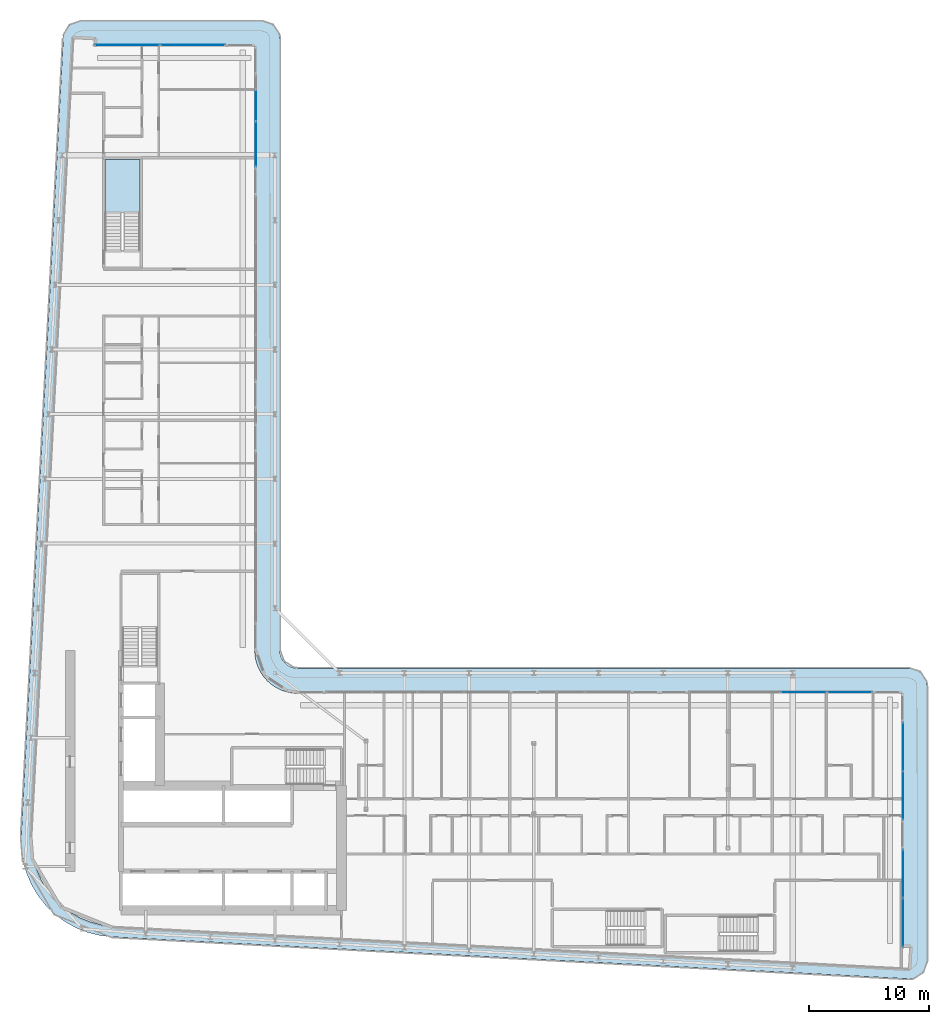
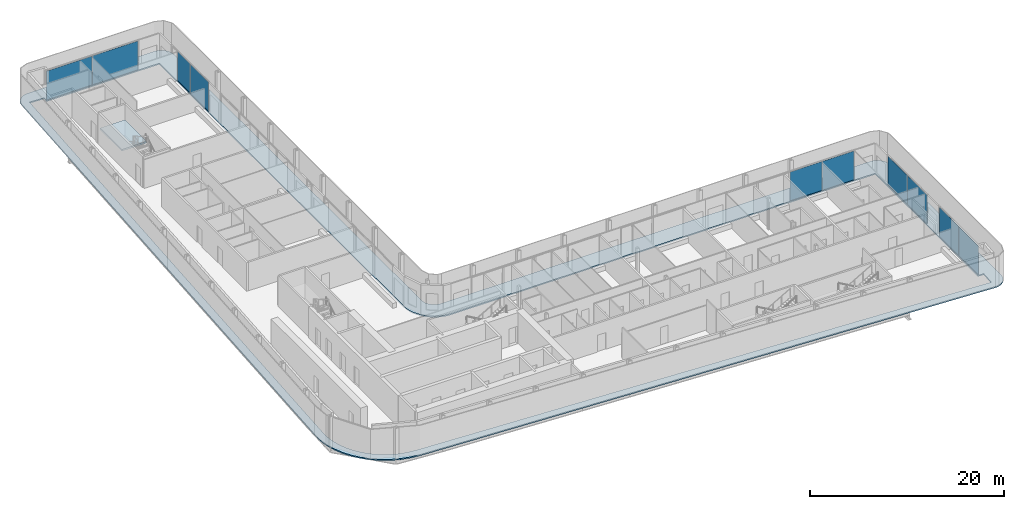
# One storey, part 14 of 30: 10 plates, 2 slabs, 6 elements without a shape of their own.
"""IFC4 building model written with IfcOpenShell, lengths in metres."""

from ifc_helpers import new_model, si_unit, direction, frame, origin, origin_2d, place, context, subcontext, project, spatial, polyline, rectangle, outline, extrude, material, layer, layer_set, type_object, element, aggregate, save


model = new_model("IFC4")

# Units and contexts
model_context = context("Model", 3, precision=1e-05, world=origin(), true_north=direction((0.0, 1.0)))
body_context = subcontext(model_context, "Body", "Model", "MODEL_VIEW")
ifc_project = project(units=[si_unit("LENGTHUNIT", "METRE"), si_unit("AREAUNIT", "SQUARE_METRE"), si_unit("VOLUMEUNIT", "CUBIC_METRE"), si_unit("PLANEANGLEUNIT", "RADIAN"), si_unit("MASSUNIT", "GRAM", prefix="KILO")], contexts=[model_context])

# Site, building, storey
site_placement = place(None, origin())
site = spatial("IfcSite", under=ifc_project, at=site_placement, CompositionType="ELEMENT")
building_placement = place(site_placement, origin())
building = spatial("IfcBuilding", under=site, at=building_placement, Name="Kheshtan School and Residences Tower", CompositionType="ELEMENT")
storey_placement = place(building_placement, frame((0.0, 0.0, 195.5)))
storey = spatial("IfcBuildingStorey", under=building, at=storey_placement, Name="L46", CompositionType="ELEMENT", Elevation=195.5)

# Curtain wall, plates
ifc_material_1 = material(Name="Clear low-e glass in thermally broken aluminium frame", Category="aluminium")
ifc_layer_1 = layer(ifc_material_1, 0.199951171875)
ifc_layer_set_1 = layer_set([ifc_layer_1], Name="Curtain wall CW-L")
curtain_wall_type = type_object("IfcCurtainWallType", Name="Curtain wall CW-L", PredefinedType="NOTDEFINED", material=ifc_layer_set_1)
curtain_wall_1_placement = place(storey_placement, origin())
curtain_wall_1 = element("IfcCurtainWall", 1, at=curtain_wall_1_placement, inside=storey, type_object=curtain_wall_type, Name="Curtain wall CWL7", PredefinedType="NOTDEFINED")
ifc_layer_2 = layer(ifc_material_1, 0.031982421875)
ifc_layer_set_2 = layer_set([ifc_layer_2], Name="CW-L glass panel")
plate_type = type_object("IfcPlateType", Name="CW-L glass panel", PredefinedType="CURTAIN_PANEL", material=ifc_layer_set_2)
plate_1_placement = place(storey_placement, frame((35.259033203125, 98.0, 0.0), z_axis=(0.0, 0.0, 1.0), x_axis=(1.0, 0.0, 0.0)))
plate_1 = element("IfcPlate", 2, at=plate_1_placement, type_object=plate_type, Name="CWL7 panel 1.1", PredefinedType="CURTAIN_PANEL", context=body_context, shape_type="SweptSolid", body=[
    extrude(rectangle(XDim=5.4140625, YDim=0.031982421875, at=origin_2d()), origin(), (0.0, 0.0, 1.0), 3.6298828125),
])
plate_2_placement = place(storey_placement, frame((40.73291015625, 98.0, 0.0), z_axis=(0.0, 0.0, 1.0), x_axis=(1.0, 0.0, 0.0)))
plate_2 = element("IfcPlate", 3, at=plate_2_placement, type_object=plate_type, Name="CWL7 panel 2.1", PredefinedType="CURTAIN_PANEL", context=body_context, shape_type="SweptSolid", body=[
    extrude(rectangle(XDim=5.4140625, YDim=0.031982421875, at=origin_2d()), origin(), (0.0, 0.0, 1.0), 3.6298828125),
])
aggregate(curtain_wall_1, [plate_1, plate_2])

curtain_wall_2_placement = place(storey_placement, origin())
curtain_wall_2 = element("IfcCurtainWall", 4, at=curtain_wall_2_placement, inside=storey, type_object=curtain_wall_type, Name="Curtain wall CWL8c", PredefinedType="NOTDEFINED")
plate_3_placement = place(storey_placement, frame((46.0, 92.9765625, 0.0), z_axis=(0.0, 0.0, 1.0), x_axis=(0.0, -1.0, 0.0)))
plate_3 = element("IfcPlate", 5, at=plate_3_placement, type_object=plate_type, Name="CWL8c panel 2.1", PredefinedType="CURTAIN_PANEL", context=body_context, shape_type="SweptSolid", body=[
    extrude(rectangle(XDim=2.5869140625, YDim=0.031982421875, at=origin_2d()), origin(), (0.0, 0.0, 1.0), 3.6298828125),
])
plate_4_placement = place(storey_placement, frame((46.0, 89.744384765625, 0.0), z_axis=(0.0, 0.0, 1.0), x_axis=(0.0, -1.0, 0.0)))
plate_4 = element("IfcPlate", 6, at=plate_4_placement, type_object=plate_type, Name="CWL8c panel 3.1", PredefinedType="CURTAIN_PANEL", context=body_context, shape_type="SweptSolid", body=[
    extrude(rectangle(XDim=3.757080078125, YDim=0.031982421875, at=origin_2d()), origin(), (0.0, 0.0, 1.0), 3.6298828125),
])
aggregate(curtain_wall_2, [plate_3, plate_4])

curtain_wall_3_placement = place(storey_placement, origin())
curtain_wall_3 = element("IfcCurtainWall", 7, at=curtain_wall_3_placement, inside=storey, type_object=curtain_wall_type, Name="Curtain wall CWL12j", PredefinedType="NOTDEFINED")
plate_5_placement = place(storey_placement, frame((91.714599609375, 44.0, 0.0), z_axis=(0.0, 0.0, 1.0), x_axis=(1.0, 0.0, 0.0)))
plate_5 = element("IfcPlate", 8, at=plate_5_placement, type_object=plate_type, Name="CWL12j panel 1.1", PredefinedType="CURTAIN_PANEL", context=body_context, shape_type="SweptSolid", body=[
    extrude(rectangle(XDim=3.81689453125, YDim=0.031982421875, at=origin_2d()), origin(), (0.0, 0.0, 1.0), 3.6298828125),
])
plate_6_placement = place(storey_placement, frame((95.5615234375, 44.0, 0.0), z_axis=(0.0, 0.0, 1.0), x_axis=(1.0, 0.0, 0.0)))
plate_6 = element("IfcPlate", 9, at=plate_6_placement, type_object=plate_type, Name="CWL12j panel 2.1", PredefinedType="CURTAIN_PANEL", context=body_context, shape_type="SweptSolid", body=[
    extrude(rectangle(XDim=3.757080078125, YDim=0.031982421875, at=origin_2d()), origin(), (0.0, 0.0, 1.0), 3.6298828125),
])
aggregate(curtain_wall_3, [plate_5, plate_6])

curtain_wall_4_placement = place(storey_placement, origin())
curtain_wall_4 = element("IfcCurtainWall", 10, at=curtain_wall_4_placement, inside=storey, type_object=curtain_wall_type, Name="Curtain wall CWL13b", PredefinedType="NOTDEFINED")
plate_7_placement = place(storey_placement, frame((100.0, 39.436767578125, 0.0), z_axis=(0.0, 0.0, 1.0), x_axis=(0.0, -1.0, 0.0)))
plate_7 = element("IfcPlate", 11, at=plate_7_placement, type_object=plate_type, Name="CWL13b panel 1.1", PredefinedType="CURTAIN_PANEL", context=body_context, shape_type="SweptSolid", body=[
    extrude(rectangle(XDim=4.006591796875, YDim=0.031982421875, at=origin_2d()), origin(), (0.0, 0.0, 1.0), 3.6298828125),
])
plate_8_placement = place(storey_placement, frame((100.0, 35.370361328125, 0.0), z_axis=(0.0, 0.0, 1.0), x_axis=(0.0, -1.0, 0.0)))
plate_8 = element("IfcPlate", 12, at=plate_8_placement, type_object=plate_type, Name="CWL13b panel 2.1", PredefinedType="CURTAIN_PANEL", context=body_context, shape_type="SweptSolid", body=[
    extrude(rectangle(XDim=4.006591796875, YDim=0.031982421875, at=origin_2d()), origin(), (0.0, 0.0, 1.0), 3.6298828125),
])
aggregate(curtain_wall_4, [plate_7, plate_8])

curtain_wall_5_placement = place(storey_placement, origin())
curtain_wall_5 = element("IfcCurtainWall", 13, at=curtain_wall_5_placement, inside=storey, type_object=curtain_wall_type, Name="Curtain wall CWL13b", PredefinedType="NOTDEFINED")
plate_9_placement = place(storey_placement, frame((100.0, 28.84375, 0.0), z_axis=(0.0, 0.0, 1.0), x_axis=(0.0, -1.0, 0.0)))
plate_9 = element("IfcPlate", 14, at=plate_9_placement, type_object=plate_type, Name="CWL13b panel 1.1", PredefinedType="CURTAIN_PANEL", context=body_context, shape_type="SweptSolid", body=[
    extrude(rectangle(XDim=4.006591796875, YDim=0.031982421875, at=origin_2d()), origin(), (0.0, 0.0, 1.0), 3.6298828125),
])
plate_10_placement = place(storey_placement, frame((100.0, 24.77734375, 0.0), z_axis=(0.0, 0.0, 1.0), x_axis=(0.0, -1.0, 0.0)))
plate_10 = element("IfcPlate", 15, at=plate_10_placement, type_object=plate_type, Name="CWL13b panel 2.1", PredefinedType="CURTAIN_PANEL", context=body_context, shape_type="SweptSolid", body=[
    extrude(rectangle(XDim=4.006591796875, YDim=0.031982421875, at=origin_2d()), origin(), (0.0, 0.0, 1.0), 3.6298828125),
])
aggregate(curtain_wall_5, [plate_9, plate_10])

# Slab
ifc_material_2 = material(Name="Concrete C40/50", Category="concrete")
ifc_layer_3 = layer(ifc_material_2, 0.14990234375)
ifc_layer_set_3 = layer_set([ifc_layer_3], Name="Loggia balcony slab 150 Concrete C40/50")
slab_type_1 = type_object("IfcSlabType", Name="Loggia balcony slab 150 Concrete C40/50", PredefinedType="FLOOR", material=ifc_layer_set_3)
slab_1_placement = place(storey_placement, frame((0.0, 0.0, -0.14990234375)))
element("IfcSlab", 16, at=slab_1_placement, inside=storey, type_object=slab_type_1, Name="Loggia balcony slab L46", PredefinedType="FLOOR", context=body_context, shape_type="SweptSolid", body=[
    extrude(outline(polyline([(28.4580078125, 26.222900390625), (28.45703125, 26.222900390625), (28.45703125, 26.22412109375), (28.4560546875, 26.22412109375), (27.81494140625, 27.0390625), (27.281005859375, 27.93798828125), (26.867919921875, 28.89990234375), (26.583984375, 29.89990234375), (26.583984375, 29.906982421875), (26.43408203125, 30.943115234375), (26.419921875, 31.989013671875), (29.925048828125, 98.5791015625), (29.930908203125, 98.626953125), (29.930908203125, 98.6279296875), (29.929931640625, 98.6279296875), (29.929931640625, 98.62890625), (29.928955078125, 98.62890625), (29.928955078125, 98.6298828125), (29.927978515625, 98.6298828125), (29.927978515625, 98.631103515625), (29.927001953125, 98.631103515625), (29.927001953125, 98.632080078125), (29.927001953125, 98.633056640625), (29.945068359375, 98.781005859375), (29.945068359375, 98.783935546875), (29.945068359375, 98.784912109375), (29.946044921875, 98.784912109375), (29.946044921875, 98.785888671875), (29.947021484375, 98.785888671875), (29.947021484375, 98.787109375), (29.947998046875, 98.787109375), (29.948974609375, 98.787109375), (29.948974609375, 98.7880859375), (29.949951171875, 98.7880859375), (29.949951171875, 98.7890625), (29.949951171875, 98.791015625), (30.0029296875, 98.98388671875), (30.083984375, 99.175048828125), (30.18896484375, 99.35302734375), (30.31103515625, 99.507080078125), (30.31201171875, 99.507080078125), (30.31201171875, 99.508056640625), (30.31298828125, 99.508056640625), (30.31298828125, 99.509033203125), (30.31396484375, 99.509033203125), (30.31396484375, 99.510009765625), (30.31494140625, 99.510009765625), (30.31494140625, 99.510986328125), (30.31591796875, 99.510986328125), (30.31591796875, 99.511962890625), (30.31689453125, 99.511962890625), (30.31689453125, 99.512939453125), (30.318115234375, 99.512939453125), (30.320068359375, 99.512939453125), (30.321044921875, 99.512939453125), (30.321044921875, 99.513916015625), (30.468017578125, 99.656982421875), (30.468994140625, 99.656982421875), (30.468994140625, 99.657958984375), (30.469970703125, 99.657958984375), (30.469970703125, 99.658935546875), (30.470947265625, 99.658935546875), (30.470947265625, 99.659912109375), (30.471923828125, 99.659912109375), (30.471923828125, 99.660888671875), (30.472900390625, 99.660888671875), (30.472900390625, 99.662109375), (30.47412109375, 99.662109375), (30.47412109375, 99.6630859375), (30.47509765625, 99.6630859375), (30.47509765625, 99.6640625), (30.635986328125, 99.777099609375), (30.820068359375, 99.873046875), (31.007080078125, 99.943115234375), (31.013916015625, 99.943115234375), (31.217041015625, 99.986083984375), (31.423095703125, 100.0), (46.5, 100.0), (46.696044921875, 99.987060546875), (46.887939453125, 99.948974609375), (46.89501953125, 99.948974609375), (47.073974609375, 99.885986328125), (47.243896484375, 99.801025390625), (47.2451171875, 99.801025390625), (47.2470703125, 99.801025390625), (47.248046875, 99.801025390625), (47.248046875, 99.802001953125), (47.2490234375, 99.802001953125), (47.2490234375, 99.802978515625), (47.25, 99.802978515625), (47.2529296875, 99.802978515625), (47.25390625, 99.802978515625), (47.25390625, 99.802001953125), (47.2548828125, 99.802001953125), (47.2548828125, 99.801025390625), (47.256103515625, 99.801025390625), (47.256103515625, 99.800048828125), (47.257080078125, 99.800048828125), (47.257080078125, 99.799072265625), (47.258056640625, 99.799072265625), (47.258056640625, 99.798095703125), (47.412109375, 99.696044921875), (47.4130859375, 99.696044921875), (47.4130859375, 99.695068359375), (47.4140625, 99.695068359375), (47.4140625, 99.694091796875), (47.4140625, 99.68994140625), (47.4140625, 99.68896484375), (47.4150390625, 99.68896484375), (47.4150390625, 99.68798828125), (47.416015625, 99.68798828125), (47.416015625, 99.68701171875), (47.4169921875, 99.68701171875), (47.4169921875, 99.68603515625), (47.554931640625, 99.568115234375), (47.554931640625, 99.56689453125), (47.555908203125, 99.56689453125), (47.555908203125, 99.56591796875), (47.556884765625, 99.56591796875), (47.556884765625, 99.56494140625), (47.55810546875, 99.56494140625), (47.55810546875, 99.56396484375), (47.55908203125, 99.56396484375), (47.55908203125, 99.56298828125), (47.56005859375, 99.56298828125), (47.56005859375, 99.56201171875), (47.56103515625, 99.56201171875), (47.56201171875, 99.56103515625), (47.56201171875, 99.56005859375), (47.56298828125, 99.56005859375), (47.56298828125, 99.55908203125), (47.56396484375, 99.55908203125), (47.56396484375, 99.55810546875), (47.56494140625, 99.55810546875), (47.56494140625, 99.556884765625), (47.56591796875, 99.556884765625), (47.56591796875, 99.555908203125), (47.56689453125, 99.555908203125), (47.56689453125, 99.554931640625), (47.568115234375, 99.554931640625), (47.68505859375, 99.41796875), (47.68603515625, 99.41796875), (47.68603515625, 99.4169921875), (47.68701171875, 99.4169921875), (47.68701171875, 99.416015625), (47.68798828125, 99.416015625), (47.68798828125, 99.4150390625), (47.68896484375, 99.4150390625), (47.68896484375, 99.4140625), (47.68994140625, 99.4140625), (47.694091796875, 99.4140625), (47.695068359375, 99.4140625), (47.695068359375, 99.4130859375), (47.696044921875, 99.4130859375), (47.696044921875, 99.412109375), (47.797119140625, 99.259033203125), (47.798095703125, 99.259033203125), (47.798095703125, 99.258056640625), (47.799072265625, 99.258056640625), (47.799072265625, 99.257080078125), (47.800048828125, 99.257080078125), (47.800048828125, 99.256103515625), (47.801025390625, 99.256103515625), (47.801025390625, 99.2548828125), (47.802001953125, 99.2548828125), (47.802001953125, 99.25390625), (47.802978515625, 99.25390625), (47.802978515625, 99.2529296875), (47.802978515625, 99.25), (47.802978515625, 99.2490234375), (47.802001953125, 99.2490234375), (47.802001953125, 99.248046875), (47.801025390625, 99.248046875), (47.801025390625, 99.2470703125), (47.801025390625, 99.243896484375), (47.801025390625, 99.242919921875), (47.885986328125, 99.073974609375), (47.948974609375, 98.89501953125), (47.948974609375, 98.887939453125), (47.987060546875, 98.696044921875), (48.0, 98.5), (48.0, 47.5), (48.012939453125, 47.303955078125), (48.051025390625, 47.113037109375), (48.051025390625, 47.10693359375), (48.051025390625, 47.10595703125), (48.114013671875, 46.926025390625), (48.200927734375, 46.75), (48.31005859375, 46.5869140625), (48.431884765625, 46.444091796875), (48.43310546875, 46.444091796875), (48.43310546875, 46.443115234375), (48.43408203125, 46.443115234375), (48.43408203125, 46.44189453125), (48.43505859375, 46.44189453125), (48.43505859375, 46.44091796875), (48.43603515625, 46.44091796875), (48.43603515625, 46.43994140625), (48.43701171875, 46.43994140625), (48.43701171875, 46.43896484375), (48.43798828125, 46.43896484375), (48.43896484375, 46.43798828125), (48.43896484375, 46.43701171875), (48.43994140625, 46.43701171875), (48.43994140625, 46.43603515625), (48.44091796875, 46.43603515625), (48.44091796875, 46.43505859375), (48.44189453125, 46.43505859375), (48.44189453125, 46.43408203125), (48.443115234375, 46.43408203125), (48.443115234375, 46.43310546875), (48.444091796875, 46.43310546875), (48.444091796875, 46.431884765625), (48.5869140625, 46.31005859375), (48.75, 46.200927734375), (48.926025390625, 46.114013671875), (49.10595703125, 46.051025390625), (49.10693359375, 46.051025390625), (49.113037109375, 46.051025390625), (49.303955078125, 46.012939453125), (49.5, 46.0), (100.5, 46.0), (100.696044921875, 45.987060546875), (100.887939453125, 45.948974609375), (100.89501953125, 45.948974609375), (101.073974609375, 45.885986328125), (101.241943359375, 45.801025390625), (101.242919921875, 45.801025390625), (101.2470703125, 45.801025390625), (101.248046875, 45.801025390625), (101.248046875, 45.802001953125), (101.2490234375, 45.802001953125), (101.2490234375, 45.802978515625), (101.25, 45.802978515625), (101.2529296875, 45.802978515625), (101.25390625, 45.802978515625), (101.25390625, 45.802001953125), (101.2548828125, 45.802001953125), (101.2548828125, 45.801025390625), (101.256103515625, 45.801025390625), (101.256103515625, 45.800048828125), (101.257080078125, 45.800048828125), (101.257080078125, 45.799072265625), (101.258056640625, 45.799072265625), (101.258056640625, 45.798095703125), (101.259033203125, 45.798095703125), (101.259033203125, 45.797119140625), (101.260009765625, 45.797119140625), (101.260009765625, 45.7958984375), (101.412109375, 45.696044921875), (101.4130859375, 45.696044921875), (101.4130859375, 45.695068359375), (101.4140625, 45.695068359375), (101.4140625, 45.694091796875), (101.4140625, 45.68994140625), (101.4140625, 45.68896484375), (101.4150390625, 45.68896484375), (101.4150390625, 45.68798828125), (101.416015625, 45.68798828125), (101.416015625, 45.68701171875), (101.4169921875, 45.68701171875), (101.4169921875, 45.68603515625), (101.41796875, 45.68603515625), (101.41796875, 45.68505859375), (101.4189453125, 45.68505859375), (101.4189453125, 45.68408203125), (101.554931640625, 45.568115234375), (101.554931640625, 45.56689453125), (101.555908203125, 45.56689453125), (101.555908203125, 45.56591796875), (101.556884765625, 45.56591796875), (101.556884765625, 45.56494140625), (101.55810546875, 45.56494140625), (101.55810546875, 45.56396484375), (101.55908203125, 45.56396484375), (101.55908203125, 45.56298828125), (101.56005859375, 45.56298828125), (101.56005859375, 45.56201171875), (101.56103515625, 45.56201171875), (101.56201171875, 45.56103515625), (101.56201171875, 45.56005859375), (101.56298828125, 45.56005859375), (101.56298828125, 45.55908203125), (101.56396484375, 45.55908203125), (101.56396484375, 45.55810546875), (101.56494140625, 45.55810546875), (101.56494140625, 45.556884765625), (101.56591796875, 45.556884765625), (101.56591796875, 45.555908203125), (101.56689453125, 45.555908203125), (101.56689453125, 45.554931640625), (101.568115234375, 45.554931640625), (101.681884765625, 45.4208984375), (101.68310546875, 45.4208984375), (101.68310546875, 45.419921875), (101.68408203125, 45.419921875), (101.68408203125, 45.4189453125), (101.68505859375, 45.4189453125), (101.68505859375, 45.41796875), (101.68603515625, 45.41796875), (101.68603515625, 45.4169921875), (101.68701171875, 45.4169921875), (101.68701171875, 45.416015625), (101.68798828125, 45.416015625), (101.68798828125, 45.4150390625), (101.68896484375, 45.4150390625), (101.68896484375, 45.4140625), (101.68994140625, 45.4140625), (101.694091796875, 45.4140625), (101.695068359375, 45.4140625), (101.695068359375, 45.4130859375), (101.696044921875, 45.4130859375), (101.696044921875, 45.412109375), (101.7939453125, 45.261962890625), (101.794921875, 45.261962890625), (101.794921875, 45.260986328125), (101.7958984375, 45.260986328125), (101.7958984375, 45.260009765625), (101.797119140625, 45.260009765625), (101.797119140625, 45.259033203125), (101.798095703125, 45.259033203125), (101.798095703125, 45.258056640625), (101.799072265625, 45.258056640625), (101.799072265625, 45.257080078125), (101.800048828125, 45.257080078125), (101.800048828125, 45.256103515625), (101.801025390625, 45.256103515625), (101.801025390625, 45.2548828125), (101.802001953125, 45.2548828125), (101.802001953125, 45.25390625), (101.802978515625, 45.25390625), (101.802978515625, 45.2529296875), (101.802978515625, 45.25), (101.802978515625, 45.2490234375), (101.802001953125, 45.2490234375), (101.802001953125, 45.248046875), (101.801025390625, 45.248046875), (101.801025390625, 45.2470703125), (101.801025390625, 45.240966796875), (101.801025390625, 45.239990234375), (101.885986328125, 45.073974609375), (101.948974609375, 44.89501953125), (101.948974609375, 44.887939453125), (101.987060546875, 44.696044921875), (102.0, 44.5), (102.0, 21.5810546875), (101.986083984375, 21.37890625), (101.945068359375, 21.179931640625), (101.945068359375, 21.173095703125), (101.8779296875, 20.989013671875), (101.785888671875, 20.80810546875), (101.6708984375, 20.64306640625), (101.6708984375, 20.64208984375), (101.6708984375, 20.64111328125), (101.6708984375, 20.639892578125), (101.672119140625, 20.639892578125), (101.672119140625, 20.638916015625), (101.672119140625, 20.636962890625), (101.672119140625, 20.635986328125), (101.6708984375, 20.635986328125), (101.6708984375, 20.635009765625), (101.5380859375, 20.491943359375), (101.534912109375, 20.489013671875), (101.533935546875, 20.489013671875), (101.533935546875, 20.488037109375), (101.532958984375, 20.488037109375), (101.531005859375, 20.488037109375), (101.530029296875, 20.488037109375), (101.530029296875, 20.489013671875), (101.529052734375, 20.489013671875), (101.528076171875, 20.489013671875), (101.527099609375, 20.489013671875), (101.3759765625, 20.364013671875), (101.2041015625, 20.256103515625), (101.01904296875, 20.174072265625), (100.8310546875, 20.116943359375), (100.823974609375, 20.116943359375), (100.6240234375, 20.0859375), (100.4208984375, 20.0830078125), (33.989013671875, 23.580078125), (33.94189453125, 23.5859375), (33.94091796875, 23.5859375), (33.93994140625, 23.5859375), (33.93994140625, 23.5849609375), (33.93896484375, 23.5849609375), (33.93896484375, 23.583984375), (33.93798828125, 23.583984375), (33.93798828125, 23.5830078125), (33.93701171875, 23.5830078125), (33.93701171875, 23.58203125), (33.93603515625, 23.58203125), (33.93505859375, 23.58203125), (32.952880859375, 23.697998046875), (32.949951171875, 23.697998046875), (32.948974609375, 23.697998046875), (32.948974609375, 23.698974609375), (32.947998046875, 23.698974609375), (32.947998046875, 23.699951171875), (32.947021484375, 23.699951171875), (32.947021484375, 23.700927734375), (32.947021484375, 23.702880859375), (32.947021484375, 23.7041015625), (32.946044921875, 23.7041015625), (32.946044921875, 23.705078125), (32.945068359375, 23.705078125), (32.944091796875, 23.705078125), (31.93603515625, 23.9609375), (31.928955078125, 23.9609375), (30.964111328125, 24.34912109375), (30.051025390625, 24.860107421875), (29.218994140625, 25.47900390625), (29.218994140625, 25.47998046875), (29.218017578125, 25.47998046875), (29.218017578125, 25.48095703125), (29.217041015625, 25.48095703125), (29.217041015625, 25.48193359375), (29.216064453125, 25.48193359375), (29.216064453125, 25.48291015625), (29.215087890625, 25.48291015625), (29.215087890625, 25.48388671875), (29.214111328125, 25.48388671875), (29.214111328125, 25.485107421875), (29.212890625, 25.485107421875), (29.212890625, 25.486083984375), (29.2119140625, 25.486083984375), (28.466064453125, 26.217041015625), (28.466064453125, 26.218017578125), (28.465087890625, 26.218017578125), (28.462890625, 26.218017578125), (28.4619140625, 26.218017578125), (28.4619140625, 26.218994140625), (28.4609375, 26.218994140625), (28.4609375, 26.219970703125), (28.4599609375, 26.219970703125), (28.4599609375, 26.220947265625), (28.458984375, 26.220947265625), (28.458984375, 26.221923828125), (28.4580078125, 26.221923828125), (28.4580078125, 26.222900390625)]), holes=[polyline([(29.12890625, 26.824951171875), (29.12890625, 26.823974609375), (29.1298828125, 26.823974609375), (29.1298828125, 26.822998046875), (29.131103515625, 26.822998046875), (29.131103515625, 26.822021484375), (29.132080078125, 26.822021484375), (29.132080078125, 26.821044921875), (29.133056640625, 26.821044921875), (29.133056640625, 26.820068359375), (29.134033203125, 26.820068359375), (29.7958984375, 26.173095703125), (29.7958984375, 26.172119140625), (29.797119140625, 26.172119140625), (29.798095703125, 26.172119140625), (29.799072265625, 26.172119140625), (29.799072265625, 26.1708984375), (29.800048828125, 26.1708984375), (29.800048828125, 26.169921875), (29.801025390625, 26.169921875), (29.801025390625, 26.1689453125), (29.802001953125, 26.1689453125), (29.802001953125, 26.16796875), (29.802978515625, 26.16796875), (29.802978515625, 26.1669921875), (29.803955078125, 26.1669921875), (29.803955078125, 26.166015625), (30.541015625, 25.616943359375), (31.35205078125, 25.1630859375), (32.208984375, 24.819091796875), (32.2099609375, 24.819091796875), (32.216064453125, 24.819091796875), (33.114990234375, 24.590087890625), (34.06591796875, 24.47705078125), (100.43798828125, 20.98291015625), (100.465087890625, 20.98388671875), (100.466064453125, 20.98388671875), (100.467041015625, 20.98388671875), (100.467041015625, 20.985107421875), (100.468017578125, 20.985107421875), (100.468017578125, 20.986083984375), (100.468017578125, 20.987060546875), (100.55810546875, 22.676025390625), (100.55810546875, 22.677001953125), (100.55810546875, 22.677978515625), (100.556884765625, 22.677978515625), (100.556884765625, 22.678955078125), (100.555908203125, 22.678955078125), (100.554931640625, 22.678955078125), (99.90087890625, 22.714111328125), (99.89990234375, 22.714111328125), (99.89990234375, 22.715087890625), (99.89990234375, 43.89794921875), (99.89990234375, 43.89892578125), (99.89892578125, 43.89892578125), (99.89892578125, 43.89990234375), (99.89794921875, 43.89990234375), (49.429931640625, 43.89990234375), (49.030029296875, 43.927001953125), (48.569091796875, 44.01806640625), (48.56201171875, 44.01806640625), (48.1201171875, 44.169921875), (47.697021484375, 44.37890625), (47.30810546875, 44.638916015625), (46.95703125, 44.944091796875), (46.95703125, 44.945068359375), (46.9560546875, 44.945068359375), (46.9560546875, 44.946044921875), (46.955078125, 44.946044921875), (46.955078125, 44.947021484375), (46.9541015625, 44.947021484375), (46.9541015625, 44.947998046875), (46.952880859375, 44.947998046875), (46.952880859375, 44.948974609375), (46.951904296875, 44.948974609375), (46.951904296875, 44.949951171875), (46.951904296875, 44.950927734375), (46.950927734375, 44.950927734375), (46.950927734375, 44.951904296875), (46.949951171875, 44.951904296875), (46.948974609375, 44.951904296875), (46.948974609375, 44.952880859375), (46.947998046875, 44.952880859375), (46.947998046875, 44.9541015625), (46.947021484375, 44.9541015625), (46.947021484375, 44.955078125), (46.946044921875, 44.955078125), (46.946044921875, 44.9560546875), (46.945068359375, 44.9560546875), (46.945068359375, 44.95703125), (46.944091796875, 44.95703125), (46.638916015625, 45.30810546875), (46.37890625, 45.697021484375), (46.169921875, 46.1201171875), (46.01806640625, 46.56201171875), (46.01806640625, 46.569091796875), (45.927001953125, 47.030029296875), (45.89990234375, 47.429931640625), (45.89990234375, 97.89794921875), (45.89990234375, 97.89892578125), (45.89892578125, 97.89892578125), (45.89892578125, 97.89990234375), (45.89794921875, 97.89990234375), (32.492919921875, 97.89990234375), (32.491943359375, 97.89990234375), (32.52099609375, 98.43896484375), (32.52099609375, 98.43994140625), (32.52099609375, 98.44091796875), (32.52001953125, 98.44091796875), (32.52001953125, 98.44189453125), (32.51904296875, 98.44189453125), (32.51806640625, 98.44189453125), (30.8291015625, 98.531982421875), (30.827880859375, 98.531982421875), (30.826904296875, 98.531982421875), (30.826904296875, 98.531005859375), (30.825927734375, 98.531005859375), (30.825927734375, 98.530029296875), (30.825927734375, 98.529052734375), (30.822021484375, 98.5009765625), (27.320068359375, 31.970947265625), (27.3330078125, 31.013916015625), (27.466064453125, 30.093994140625), (27.466064453125, 30.087890625), (27.466064453125, 30.0869140625), (27.718017578125, 29.200927734375), (28.0849609375, 28.345947265625), (28.55908203125, 27.550048828125), (29.126953125, 26.825927734375), (29.1279296875, 26.825927734375), (29.1279296875, 26.824951171875), (29.12890625, 26.824951171875)])]), origin(), (0.0, 0.0, 1.0), 0.14990234375),
])

# Stair, slab
stair_type = type_object("IfcStairType", Name="Exit stair, half-turn", PredefinedType="HALF_TURN_STAIR", material=ifc_material_2)
stair_placement = place(storey_placement, origin())
stair = element("IfcStair", 17, at=stair_placement, inside=storey, type_object=stair_type, Name="L46 Protected Exit Stair ST3", PredefinedType="HALF_TURN_STAIR")
ifc_layer_4 = layer(ifc_material_2, 0.199951171875)
ifc_layer_set_4 = layer_set([ifc_layer_4], Name="Stair landing 200 Concrete C40/50")
slab_type_2 = type_object("IfcSlabType", Name="Stair landing 200 Concrete C40/50", PredefinedType="LANDING", material=ifc_layer_set_4)
slab_2_placement = place(storey_placement, frame((0.0, 0.0, 1.75)))
slab_2 = element("IfcSlab", 18, at=slab_2_placement, type_object=slab_type_2, Name="ST3 landing 1", PredefinedType="LANDING", context=body_context, shape_type="SweptSolid", body=[
    extrude(outline(polyline([(36.35009765625, 83.97998046875), (36.35009765625, 88.4599609375), (33.39990234375, 88.4599609375), (33.39990234375, 83.97998046875), (36.35009765625, 83.97998046875)])), origin(), (0.0, 0.0, 1.0), 0.199951171875),
])
aggregate(stair, [slab_2])

save(model, "model.ifc")
